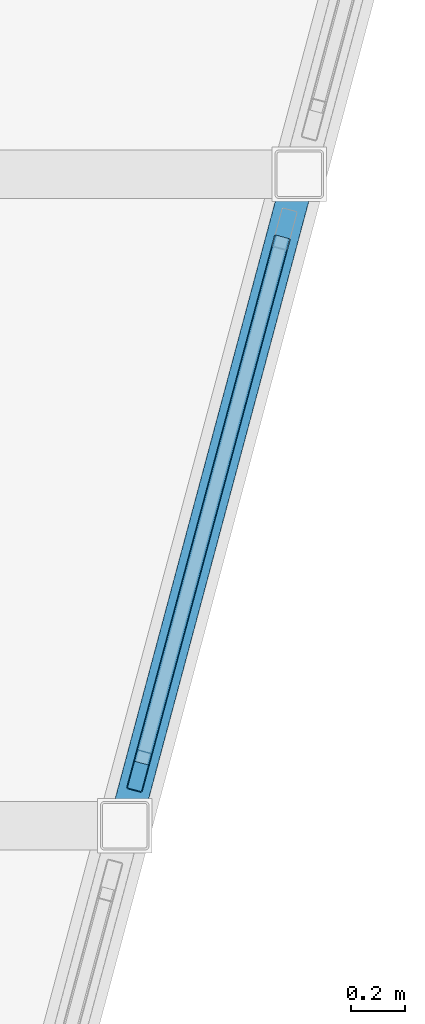
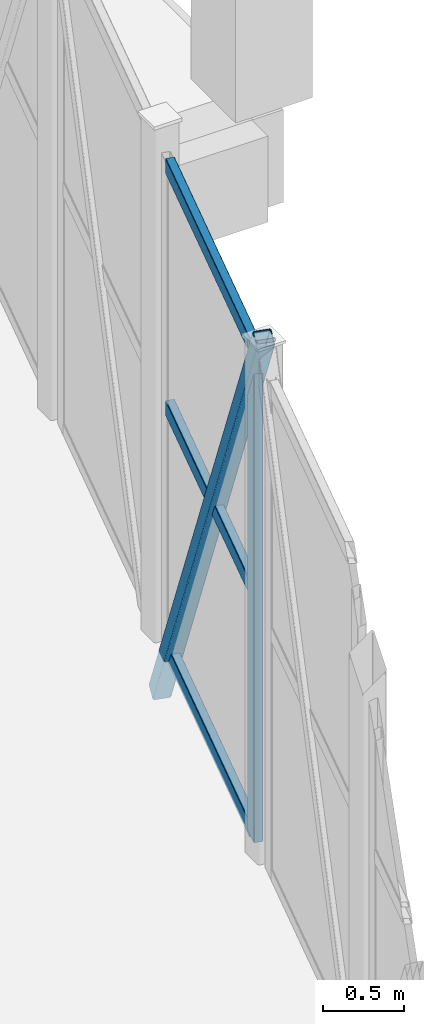
# One storey, part 83 of 127: 5 members, 1 element without a shape of its own.
"""IFC4 building model written with IfcOpenShell, lengths in metres."""

from ifc_helpers import new_model, si_unit, direction, frame, origin, origin_2d, place, context, subcontext, project, spatial, hollow_rectangle, extrude, material, layer, layer_set, material_profile, profile_set, type_object, element, aggregate, save


model = new_model("IFC4")

# Units and contexts
model_context = context("Model", 3, precision=1e-05, world=origin(), true_north=direction((0.0, 1.0)))
body_context = subcontext(model_context, "Body", "Model", "MODEL_VIEW")
ifc_project = project(units=[si_unit("LENGTHUNIT", "METRE"), si_unit("AREAUNIT", "SQUARE_METRE"), si_unit("VOLUMEUNIT", "CUBIC_METRE"), si_unit("PLANEANGLEUNIT", "RADIAN"), si_unit("MASSUNIT", "GRAM", prefix="KILO")], contexts=[model_context])

# Site, building, storey
site_placement = place(None, origin())
site = spatial("IfcSite", under=ifc_project, at=site_placement, CompositionType="ELEMENT")
building_placement = place(site_placement, origin())
building = spatial("IfcBuilding", under=site, at=building_placement, Name="Dunvalen Ferry Terminal", CompositionType="ELEMENT")
storey_placement = place(building_placement, frame((0.0, 0.0, 5.760009765625)))
storey = spatial("IfcBuildingStorey", under=building, at=storey_placement, Name="L01", CompositionType="ELEMENT", Elevation=5.760009765625)

# Curtain wall, members
ifc_material_1 = material(Name="Anodised marine aluminium and solar-control glazing", Category="aluminium")
ifc_layer = layer(ifc_material_1, 0.159912109375, Name="Anodised marine aluminium and solar-control glazing")
ifc_layer_set = layer_set([ifc_layer], Name="Anodised marine aluminium and solar-control glazing")
curtain_wall_type = type_object("IfcCurtainWallType", Name="ENV-CW-SYS-07", PredefinedType="NOTDEFINED", material=ifc_layer_set)
curtain_wall_placement = place(storey_placement, origin())
curtain_wall = element("IfcCurtainWall", 1, at=curtain_wall_placement, inside=storey, type_object=curtain_wall_type, Name="L01 Curtain Wall CW-BRG2-S2-4", PredefinedType="NOTDEFINED")
ifc_material_2 = material(Name="Anodised marine aluminium EN AW-6063 T6", Category="aluminium")
ifc_material_profile_1 = material_profile(ifc_material_2, hollow_rectangle(XDim=0.06005859375, YDim=0.14990234375, WallThickness=0.00341796875, InnerFilletRadius=0.00341796875, OuterFilletRadius=0.007080078125, at=origin_2d()), Name="Anodised marine aluminium EN AW-6063 T6")
ifc_profile_set_1 = profile_set([ifc_material_profile_1], Name="Anodised marine aluminium EN AW-6063 T6")
member_type_1 = type_object("IfcMemberType", Name="ENV-CW-MUL-3", PredefinedType="MULLION", material=ifc_profile_set_1)
member_1_placement = place(storey_placement, frame((139.9833984375, 93.8017578125, 0.0), z_axis=(0.0, 0.0, 1.0), x_axis=(-0.965934620531, 0.258786222315, 0.0)))
member_1 = element("IfcMember", 2, at=member_1_placement, type_object=member_type_1, Name="CW-07 mullion 1", PredefinedType="MULLION", context=body_context, shape_type="SweptSolid", body=[
    extrude(hollow_rectangle(XDim=0.06005859375, YDim=0.14990234375, WallThickness=0.00341796875, InnerFilletRadius=0.00341796875, OuterFilletRadius=0.007080078125, at=origin_2d()), origin(), (0.0, 0.0, 1.0), 3.719970703125),
])
ifc_material_profile_2 = material_profile(ifc_material_2, hollow_rectangle(XDim=0.06005859375, YDim=0.114990234375, WallThickness=0.0029296875, InnerFilletRadius=0.0029296875, OuterFilletRadius=0.006103515625, at=origin_2d()), Name="Anodised marine aluminium EN AW-6063 T6")
ifc_profile_set_2 = profile_set([ifc_material_profile_2], Name="Anodised marine aluminium EN AW-6063 T6")
member_type_2 = type_object("IfcMemberType", Name="ENV-CW-TRN-3", PredefinedType="USERDEFINED", material=ifc_profile_set_2)
member_2_placement = place(storey_placement, frame((139.9912109375, 93.830810546875, 0.030029296875), z_axis=(0.258760408924, 0.965941535898, 0.0), x_axis=(-0.965941535898, 0.258760408924, 0.0)))
member_2 = element("IfcMember", 3, at=member_2_placement, type_object=member_type_2, Name="CW-07 transom 1.1", ObjectType="TRANSOM", PredefinedType="USERDEFINED", context=body_context, shape_type="SweptSolid", body=[
    extrude(hollow_rectangle(XDim=0.06005859375, YDim=0.114990234375, WallThickness=0.0029296875, InnerFilletRadius=0.0029296875, OuterFilletRadius=0.006103515625, at=origin_2d()), origin(), (0.0, 0.0, 1.0), 2.0068359375),
])
member_3_placement = place(storey_placement, frame((139.9912109375, 93.830810546875, 1.860107421875), z_axis=(0.258760408924, 0.965941535898, 0.0), x_axis=(-0.965941535898, 0.258760408924, 0.0)))
member_3 = element("IfcMember", 4, at=member_3_placement, type_object=member_type_2, Name="CW-07 transom 1.2", ObjectType="TRANSOM", PredefinedType="USERDEFINED", context=body_context, shape_type="SweptSolid", body=[
    extrude(hollow_rectangle(XDim=0.06005859375, YDim=0.114990234375, WallThickness=0.0029296875, InnerFilletRadius=0.0029296875, OuterFilletRadius=0.006103515625, at=origin_2d()), origin(), (0.0, 0.0, 1.0), 2.0068359375),
])
member_4_placement = place(storey_placement, frame((139.9912109375, 93.830810546875, 3.68994140625), z_axis=(0.258760408924, 0.965941535898, 0.0), x_axis=(-0.965941535898, 0.258760408924, 0.0)))
member_4 = element("IfcMember", 5, at=member_4_placement, type_object=member_type_2, Name="CW-07 transom 1.3", ObjectType="TRANSOM", PredefinedType="USERDEFINED", context=body_context, shape_type="SweptSolid", body=[
    extrude(hollow_rectangle(XDim=0.06005859375, YDim=0.114990234375, WallThickness=0.0029296875, InnerFilletRadius=0.0029296875, OuterFilletRadius=0.006103515625, at=origin_2d()), origin(), (0.0, 0.0, 1.0), 2.0068359375),
])
aggregate(curtain_wall, [member_1, member_2, member_3, member_4])

# Member
ifc_material_3 = material(Name="Steel S355", Category="steel")
ifc_material_profile_3 = material_profile(ifc_material_3, hollow_rectangle(XDim=0.1201171875, YDim=0.1201171875, WallThickness=0.00634765625, InnerFilletRadius=0.00634765625, OuterFilletRadius=0.0126953125, at=origin_2d()), Name="Steel S355")
ifc_profile_set_3 = profile_set([ifc_material_profile_3], Name="Steel S355")
member_type_3 = type_object("IfcMemberType", Name="STR-MB-SHS120", PredefinedType="BRACE", material=ifc_profile_set_3)
member_5_placement = place(storey_placement, frame((139.92919921875, 93.60009765625, 3.89990234375), z_axis=(0.128594483559, 0.479910316395, -0.867841890563), x_axis=(-0.965924366126, 0.258824494443, 0.0)))
element("IfcMember", 6, at=member_5_placement, inside=storey, type_object=member_type_3, Name="Boarding Bridge 2 Warren Diagonal 2.4", PredefinedType="BRACE", context=body_context, shape_type="SweptSolid", body=[
    extrude(hollow_rectangle(XDim=0.1201171875, YDim=0.1201171875, WallThickness=0.00634765625, InnerFilletRadius=0.00634765625, OuterFilletRadius=0.0126953125, at=origin_2d()), origin(), (0.0, 0.0, 1.0), 5.000732421875),
])

save(model, "model.ifc")
